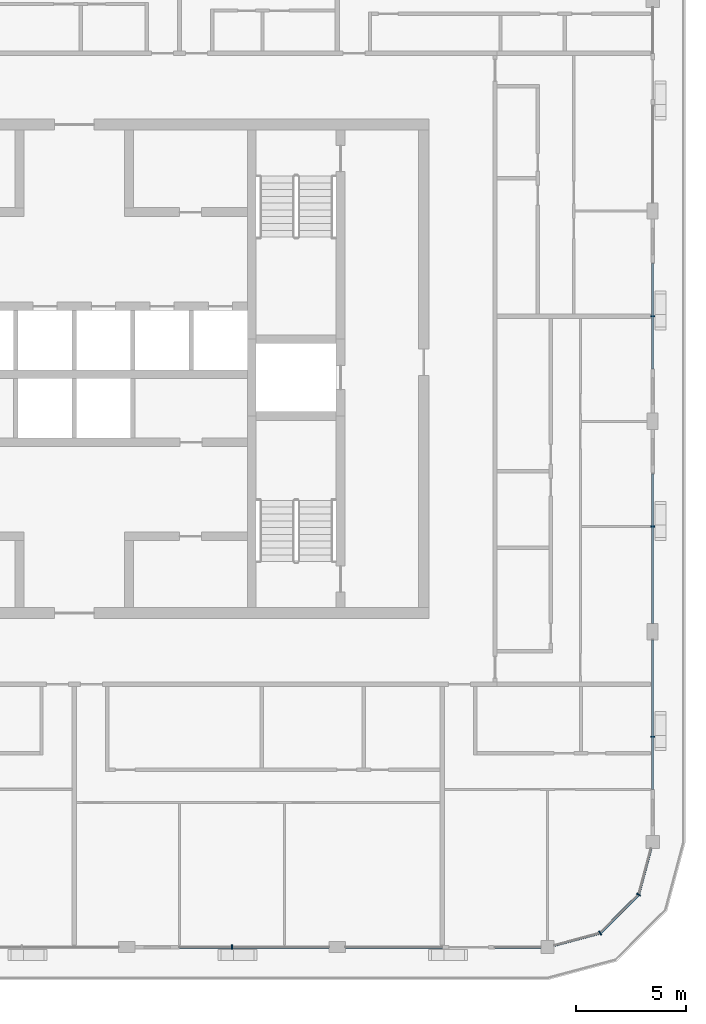
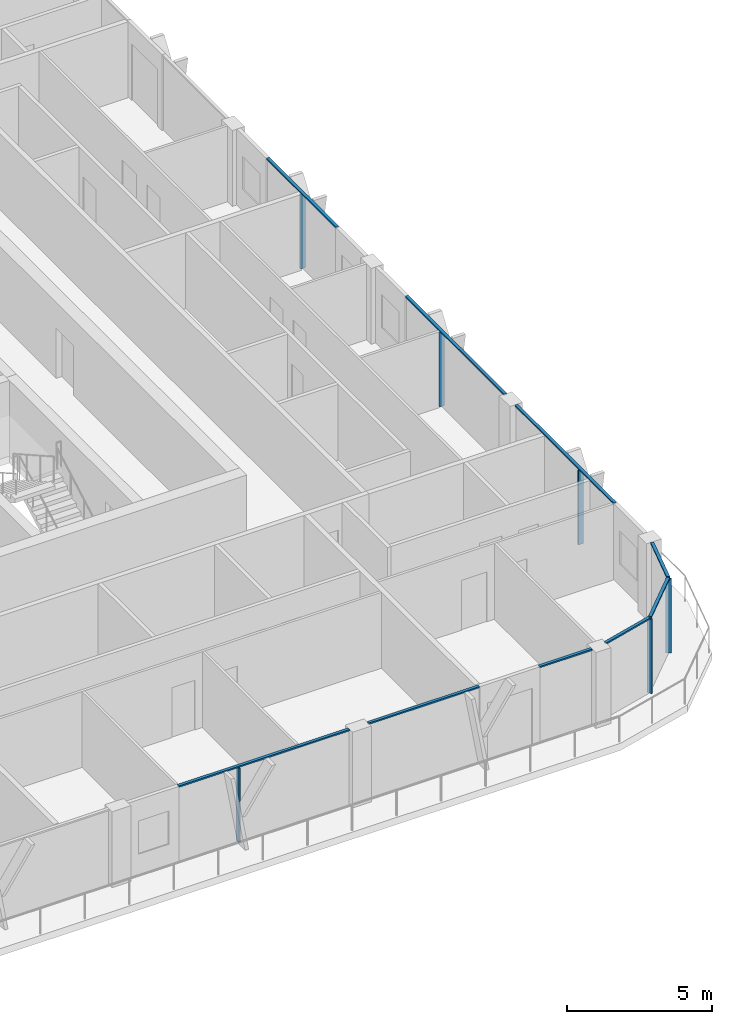
# One storey, part 4 of 21: 15 members, 6 elements without a shape of their own.
"""IFC4 building model written with IfcOpenShell, lengths in metres."""

from ifc_helpers import new_model, si_unit, direction, frame, origin, origin_2d, place, context, subcontext, project, spatial, rectangle, extrude, material, layer, layer_set, material_profile, profile_set, type_object, element, aggregate, save


model = new_model("IFC4")

# Units and contexts
model_context = context("Model", 3, precision=1e-05, world=origin(), true_north=direction((0.0, 1.0)))
body_context = subcontext(model_context, "Body", "Model", "MODEL_VIEW")
ifc_project = project(units=[si_unit("LENGTHUNIT", "METRE"), si_unit("AREAUNIT", "SQUARE_METRE"), si_unit("VOLUMEUNIT", "CUBIC_METRE"), si_unit("PLANEANGLEUNIT", "RADIAN"), si_unit("MASSUNIT", "GRAM", prefix="KILO")], contexts=[model_context])

# Site, building, storey
site_placement = place(None, origin())
site = spatial("IfcSite", under=ifc_project, at=site_placement, CompositionType="ELEMENT")
building_placement = place(site_placement, origin())
building = spatial("IfcBuilding", under=site, at=building_placement, Name="Madar Terraces", CompositionType="ELEMENT")
storey_placement = place(building_placement, frame((0.0, 0.0, 275.60009765625)))
storey = spatial("IfcBuildingStorey", under=building, at=storey_placement, Name="L72", CompositionType="ELEMENT", Elevation=275.60009765625)

# Curtain wall, member
ifc_material_1 = material(Name="Glass, ceramic frit dark grey, with black aluminium frame", Category="aluminium")
ifc_layer = layer(ifc_material_1, 0.199951171875)
ifc_layer_set = layer_set([ifc_layer], Name="Facade curtain wall, fritted glass")
curtain_wall_type = type_object("IfcCurtainWallType", Name="Facade curtain wall, fritted glass", PredefinedType="NOTDEFINED", material=ifc_layer_set)
curtain_wall_1_placement = place(storey_placement, origin())
curtain_wall_1 = element("IfcCurtainWall", 1, at=curtain_wall_1_placement, inside=storey, type_object=curtain_wall_type, Name="Outer skin curtain wall south bay 4", PredefinedType="NOTDEFINED")
ifc_material_2 = material(Name="Aluminium, black anodised", Category="aluminium")
ifc_material_profile_1 = material_profile(ifc_material_2, rectangle(XDim=0.199951171875, YDim=0.06005859375, at=origin_2d()), Name="Facade mullion 60x200")
ifc_profile_set_1 = profile_set([ifc_material_profile_1], Name="Aluminium, black anodised")
member_type_1 = type_object("IfcMemberType", Name="Facade mullion 60x200", PredefinedType="MULLION", material=ifc_profile_set_1)
member_1_placement = place(storey_placement, frame((38.39990234375, 0.0, 0.0), z_axis=(0.0, 0.0, 1.0), x_axis=(0.0, 1.0, 0.0)))
member_1 = element("IfcMember", 2, at=member_1_placement, type_object=member_type_1, Name="Mullion 1", PredefinedType="MULLION", context=body_context, shape_type="SweptSolid", body=[
    extrude(rectangle(XDim=0.199951171875, YDim=0.06005859375, at=origin_2d()), origin(), (0.0, 0.0, 1.0), 3.139892578125),
])

curtain_wall_2_placement = place(storey_placement, origin())
curtain_wall_2 = element("IfcCurtainWall", 3, at=curtain_wall_2_placement, inside=storey, type_object=curtain_wall_type, Name="Outer skin curtain wall east bay 1", PredefinedType="NOTDEFINED")
member_2_placement = place(storey_placement, frame((57.60009765625, 9.60009765625, 0.0), z_axis=(0.0, 0.0, 1.0), x_axis=(-1.0, 0.0, 0.0)))
member_2 = element("IfcMember", 4, at=member_2_placement, type_object=member_type_1, Name="Mullion 1", PredefinedType="MULLION", context=body_context, shape_type="SweptSolid", body=[
    extrude(rectangle(XDim=0.199951171875, YDim=0.06005859375, at=origin_2d()), origin(), (0.0, 0.0, 1.0), 3.139892578125),
])

curtain_wall_3_placement = place(storey_placement, origin())
curtain_wall_3 = element("IfcCurtainWall", 5, at=curtain_wall_3_placement, inside=storey, type_object=curtain_wall_type, Name="Outer skin curtain wall east bay 2", PredefinedType="NOTDEFINED")
member_3_placement = place(storey_placement, frame((57.60009765625, 19.199951171875, 0.0), z_axis=(0.0, 0.0, 1.0), x_axis=(-1.0, 0.0, 0.0)))
member_3 = element("IfcMember", 6, at=member_3_placement, type_object=member_type_1, Name="Mullion 1", PredefinedType="MULLION", context=body_context, shape_type="SweptSolid", body=[
    extrude(rectangle(XDim=0.199951171875, YDim=0.06005859375, at=origin_2d()), origin(), (0.0, 0.0, 1.0), 3.139892578125),
])

curtain_wall_4_placement = place(storey_placement, origin())
curtain_wall_4 = element("IfcCurtainWall", 7, at=curtain_wall_4_placement, inside=storey, type_object=curtain_wall_type, Name="Outer skin curtain wall east bay 3", PredefinedType="NOTDEFINED")
member_4_placement = place(storey_placement, frame((57.60009765625, 28.800048828125, 0.0), z_axis=(0.0, 0.0, 1.0), x_axis=(-1.0, 0.0, 0.0)))
member_4 = element("IfcMember", 8, at=member_4_placement, type_object=member_type_1, Name="Mullion 1", PredefinedType="MULLION", context=body_context, shape_type="SweptSolid", body=[
    extrude(rectangle(XDim=0.199951171875, YDim=0.06005859375, at=origin_2d()), origin(), (0.0, 0.0, 1.0), 3.139892578125),
])

# Curtain wall, members
curtain_wall_5_placement = place(storey_placement, origin())
curtain_wall_5 = element("IfcCurtainWall", 9, at=curtain_wall_5_placement, inside=storey, type_object=curtain_wall_type, Name="Outer skin curtain wall south-east corner", PredefinedType="NOTDEFINED")
member_5_placement = place(storey_placement, frame((55.199951171875, 0.64306640625, 0.0), z_axis=(0.0, 0.0, 1.0), x_axis=(-0.499999989586, 0.866025409797, 0.0)))
member_5 = element("IfcMember", 10, at=member_5_placement, type_object=member_type_1, Name="Mullion 1", PredefinedType="MULLION", context=body_context, shape_type="SweptSolid", body=[
    extrude(rectangle(XDim=0.199951171875, YDim=0.06005859375, at=origin_2d()), origin(), (0.0, 0.0, 1.0), 3.139892578125),
])
member_6_placement = place(storey_placement, frame((56.95703125, 2.39990234375, 0.0), z_axis=(0.0, 0.0, 1.0), x_axis=(-0.866025409797, 0.499999989586, 0.0)))
member_6 = element("IfcMember", 11, at=member_6_placement, type_object=member_type_1, Name="Mullion 2", PredefinedType="MULLION", context=body_context, shape_type="SweptSolid", body=[
    extrude(rectangle(XDim=0.199951171875, YDim=0.06005859375, at=origin_2d()), origin(), (0.0, 0.0, 1.0), 3.139892578125),
])

# Member
ifc_material_3 = material(Name="Aluminium, black anodised", Category="aluminium")
ifc_material_profile_2 = material_profile(ifc_material_3, rectangle(XDim=0.1201171875, YDim=0.06005859375, at=origin_2d()), Name="Facade transom 60x120")
ifc_profile_set_2 = profile_set([ifc_material_profile_2], Name="Aluminium, black anodised")
member_type_2 = type_object("IfcMemberType", Name="Facade transom 60x120", PredefinedType="USERDEFINED", material=ifc_profile_set_2)
member_7_placement = place(storey_placement, frame((36.0, 0.0, 3.169921875), z_axis=(1.0, 0.0, 0.0), x_axis=(0.0, 1.0, 0.0)))
member_7 = element("IfcMember", 12, at=member_7_placement, type_object=member_type_2, Name="Transom 1", ObjectType="TRANSOM", PredefinedType="USERDEFINED", context=body_context, shape_type="SweptSolid", body=[
    extrude(rectangle(XDim=0.1201171875, YDim=0.06005859375, at=origin_2d()), origin(), (0.0, 0.0, 1.0), 6.824951171875),
])

aggregate(curtain_wall_1, [member_1, member_7])

# Curtain wall, members
curtain_wall_6_placement = place(storey_placement, origin())
curtain_wall_6 = element("IfcCurtainWall", 13, at=curtain_wall_6_placement, inside=storey, type_object=curtain_wall_type, Name="Outer skin curtain wall south bay 5", PredefinedType="NOTDEFINED")
member_8_placement = place(storey_placement, frame((43.574951171875, 0.0, 3.169921875), z_axis=(1.0, 0.0, 0.0), x_axis=(0.0, 1.0, 0.0)))
member_8 = element("IfcMember", 14, at=member_8_placement, type_object=member_type_2, Name="Transom 1", ObjectType="TRANSOM", PredefinedType="USERDEFINED", context=body_context, shape_type="SweptSolid", body=[
    extrude(rectangle(XDim=0.1201171875, YDim=0.06005859375, at=origin_2d()), origin(), (0.0, 0.0, 1.0), 4.425048828125),
])
member_9_placement = place(storey_placement, frame((50.39990234375, 0.0, 3.169921875), z_axis=(1.0, 0.0, 0.0), x_axis=(0.0, 1.0, 0.0)))
member_9 = element("IfcMember", 15, at=member_9_placement, type_object=member_type_2, Name="Transom 2", ObjectType="TRANSOM", PredefinedType="USERDEFINED", context=body_context, shape_type="SweptSolid", body=[
    extrude(rectangle(XDim=0.1201171875, YDim=0.06005859375, at=origin_2d()), origin(), (0.0, 0.0, 1.0), 2.10009765625),
])
aggregate(curtain_wall_6, [member_8, member_9])

# Member
member_10_placement = place(storey_placement, frame((57.60009765625, 7.199951171875, 3.169921875), z_axis=(0.0, 1.0, 0.0), x_axis=(-1.0, 0.0, 0.0)))
member_10 = element("IfcMember", 16, at=member_10_placement, type_object=member_type_2, Name="Transom 1", ObjectType="TRANSOM", PredefinedType="USERDEFINED", context=body_context, shape_type="SweptSolid", body=[
    extrude(rectangle(XDim=0.1201171875, YDim=0.06005859375, at=origin_2d()), origin(), (0.0, 0.0, 1.0), 6.824951171875),
])

aggregate(curtain_wall_2, [member_2, member_10])

member_11_placement = place(storey_placement, frame((57.60009765625, 14.77490234375, 3.169921875), z_axis=(0.0, 1.0, 0.0), x_axis=(-1.0, 0.0, 0.0)))
member_11 = element("IfcMember", 17, at=member_11_placement, type_object=member_type_2, Name="Transom 1", ObjectType="TRANSOM", PredefinedType="USERDEFINED", context=body_context, shape_type="SweptSolid", body=[
    extrude(rectangle(XDim=0.1201171875, YDim=0.06005859375, at=origin_2d()), origin(), (0.0, 0.0, 1.0), 6.8251953125),
])

aggregate(curtain_wall_3, [member_3, member_11])

member_12_placement = place(storey_placement, frame((57.60009765625, 26.39990234375, 3.169921875), z_axis=(0.0, 1.0, 0.0), x_axis=(-1.0, 0.0, 0.0)))
member_12 = element("IfcMember", 18, at=member_12_placement, type_object=member_type_2, Name="Transom 1", ObjectType="TRANSOM", PredefinedType="USERDEFINED", context=body_context, shape_type="SweptSolid", body=[
    extrude(rectangle(XDim=0.1201171875, YDim=0.06005859375, at=origin_2d()), origin(), (0.0, 0.0, 1.0), 4.800048828125),
])

aggregate(curtain_wall_4, [member_4, member_12])

member_13_placement = place(storey_placement, frame((53.10009765625, 0.080322265625, 3.169921875), z_axis=(0.965926196336, 0.258817664066, 0.0), x_axis=(-0.258817664066, 0.965926196336, 0.0)))
member_13 = element("IfcMember", 19, at=member_13_placement, type_object=member_type_2, Name="Transom 1", ObjectType="TRANSOM", PredefinedType="USERDEFINED", context=body_context, shape_type="SweptSolid", body=[
    extrude(rectangle(XDim=0.1201171875, YDim=0.06005859375, at=origin_2d()), origin(), (0.0, 0.0, 1.0), 2.14404296875),
])

member_14_placement = place(storey_placement, frame((55.22119140625, 0.664306640625, 3.169921875), z_axis=(0.707106781187, 0.707106781187, 0.0), x_axis=(-0.707106781187, 0.707106781187, 0.0)))
member_14 = element("IfcMember", 20, at=member_14_placement, type_object=member_type_2, Name="Transom 2", ObjectType="TRANSOM", PredefinedType="USERDEFINED", context=body_context, shape_type="SweptSolid", body=[
    extrude(rectangle(XDim=0.1201171875, YDim=0.06005859375, at=origin_2d()), origin(), (0.0, 0.0, 1.0), 2.4248046875),
])

member_15_placement = place(storey_placement, frame((56.964599609375, 2.428955078125, 3.169921875), z_axis=(0.258817664066, 0.965926196336, 0.0), x_axis=(-0.965926196336, 0.258817664066, 0.0)))
member_15 = element("IfcMember", 21, at=member_15_placement, type_object=member_type_2, Name="Transom 3", ObjectType="TRANSOM", PredefinedType="USERDEFINED", context=body_context, shape_type="SweptSolid", body=[
    extrude(rectangle(XDim=0.1201171875, YDim=0.06005859375, at=origin_2d()), origin(), (0.0, 0.0, 1.0), 2.14404296875),
])

aggregate(curtain_wall_5, [member_5, member_13, member_6, member_14, member_15])

save(model, "model.ifc")
